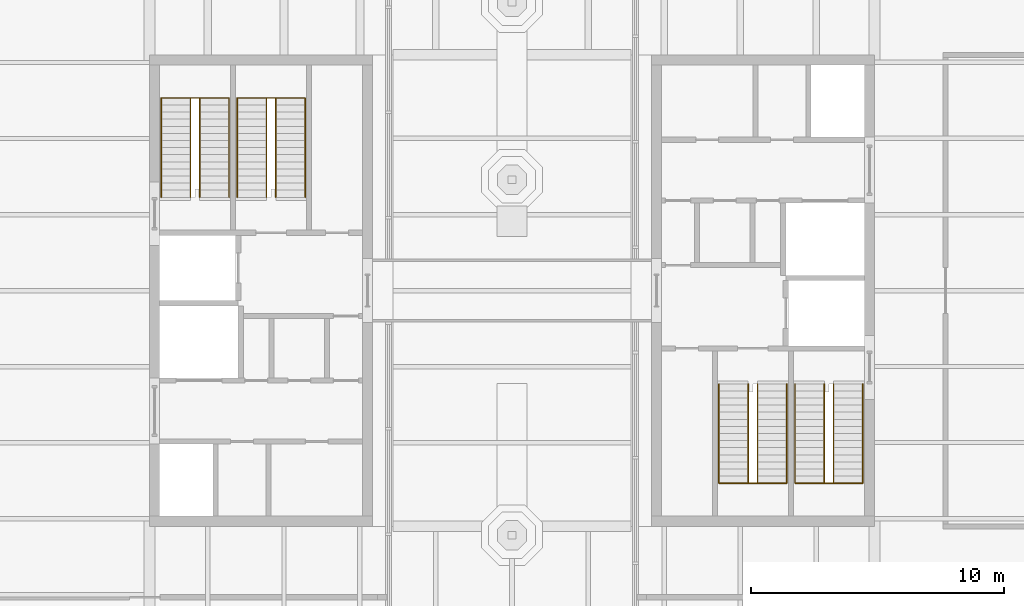
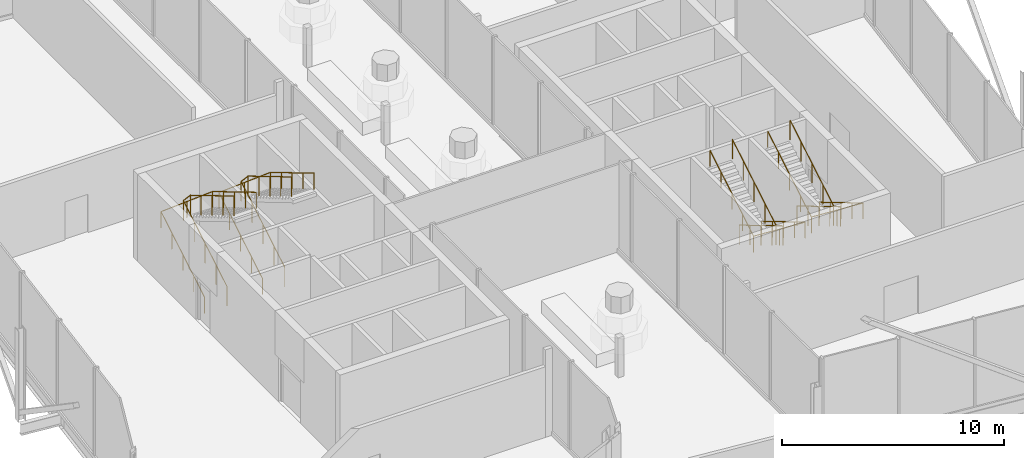
# One storey, part 13 of 14: 8 railings.
"""IFC4 building model written with IfcOpenShell, lengths in metres."""

from ifc_helpers import new_model, si_unit, direction, frame, origin, origin_2d, place, context, subcontext, project, spatial, circle, extrude, material, type_object, element, save


model = new_model("IFC4")

# Units and contexts
model_context = context("Model", 3, precision=1e-05, world=origin(), true_north=direction((0.0, 1.0)))
body_context = subcontext(model_context, "Body", "Model", "MODEL_VIEW")
ifc_project = project(units=[si_unit("LENGTHUNIT", "METRE"), si_unit("AREAUNIT", "SQUARE_METRE"), si_unit("VOLUMEUNIT", "CUBIC_METRE"), si_unit("PLANEANGLEUNIT", "RADIAN"), si_unit("MASSUNIT", "GRAM", prefix="KILO")], contexts=[model_context])

# Site, building, storey
site_placement = place(None, origin())
site = spatial("IfcSite", under=ifc_project, at=site_placement, CompositionType="ELEMENT")
building_placement = place(site_placement, origin())
building = spatial("IfcBuilding", under=site, at=building_placement, Name="Millrace Tower", CompositionType="ELEMENT")
storey_placement = place(building_placement, frame((0.0, 0.0, 342.10009765625)))
storey = spatial("IfcBuildingStorey", under=building, at=storey_placement, Name="L79", CompositionType="ELEMENT", Elevation=342.10009765625)

# Railings
ifc_material_1 = material(Name="Stainless steel ASTM A240 type 316", Category="steel")
railing_type_1 = type_object("IfcRailingType", Name="Stair guard 1100", PredefinedType="GUARDRAIL", material=ifc_material_1)
railing_1_placement = place(storey_placement, frame((-12.679931640625, 3.679931640625, 0.16650390625)))
element("IfcRailing", 1, at=railing_1_placement, inside=storey, type_object=railing_type_1, Name="Stair guard 1 W L79", PredefinedType="GUARDRAIL", context=body_context, shape_type="SweptSolid", body=[
    extrude(circle(Radius=0.02392578125, at=origin_2d()), frame((0.0, 0.0, 1.076171875), z_axis=(0.0, 0.859286724212, 0.511494208758), x_axis=(-1.0, 0.0, 0.0)), (0.0, 0.0, 1.0), 4.56201171875),
    extrude(circle(Radius=0.02392578125, at=origin_2d()), frame((0.0, 3.920166015625, 3.40966796875), z_axis=(0.907562518381, 0.0, 0.419916986117), x_axis=(0.0, 1.0, 0.0)), (0.0, 0.0, 1.0), 0.396484375),
    extrude(circle(Radius=0.02392578125, at=origin_2d()), frame((0.35986328125, 3.920166015625, 3.576171875), z_axis=(0.0, -0.859286724212, 0.511494208758), x_axis=(1.0, 0.0, 0.0)), (0.0, 0.0, 1.0), 4.56201171875),
    extrude(circle(Radius=0.02099609375, at=origin_2d()), origin(), (0.0, 0.0, 1.0), 1.052001953125),
    extrude(circle(Radius=0.02099609375, at=origin_2d()), frame((0.0, 0.97998046875, 0.58349609375)), (0.0, 0.0, 1.0), 1.052001953125),
    extrude(circle(Radius=0.02099609375, at=origin_2d()), frame((0.0, 1.9599609375, 1.166748046875)), (0.0, 0.0, 1.0), 1.052001953125),
    extrude(circle(Radius=0.02099609375, at=origin_2d()), frame((0.0, 2.940185546875, 1.75)), (0.0, 0.0, 1.0), 1.052001953125),
    extrude(circle(Radius=0.02099609375, at=origin_2d()), frame((0.0, 3.920166015625, 2.33349609375)), (0.0, 0.0, 1.0), 1.052001953125),
    extrude(circle(Radius=0.02099609375, at=origin_2d()), frame((0.35986328125, 3.920166015625, 2.5)), (0.0, 0.0, 1.0), 1.052001953125),
    extrude(circle(Radius=0.02099609375, at=origin_2d()), frame((0.35986328125, 2.940185546875, 3.08349609375)), (0.0, 0.0, 1.0), 1.052001953125),
    extrude(circle(Radius=0.02099609375, at=origin_2d()), frame((0.35986328125, 1.9599609375, 3.666748046875)), (0.0, 0.0, 1.0), 1.052001953125),
    extrude(circle(Radius=0.02099609375, at=origin_2d()), frame((0.35986328125, 0.97998046875, 4.25)), (0.0, 0.0, 1.0), 1.052001953125),
    extrude(circle(Radius=0.02099609375, at=origin_2d()), frame((0.35986328125, 0.0, 4.83349609375)), (0.0, 0.0, 1.0), 1.052001953125),
])
railing_2_placement = place(storey_placement, frame((-9.679931640625, 3.679931640625, 0.16650390625)))
element("IfcRailing", 2, at=railing_2_placement, inside=storey, type_object=railing_type_1, Name="Stair guard 2 W L79", PredefinedType="GUARDRAIL", context=body_context, shape_type="SweptSolid", body=[
    extrude(circle(Radius=0.02392578125, at=origin_2d()), frame((0.0, 0.0, 1.076171875), z_axis=(0.0, 0.859286724212, 0.511494208758), x_axis=(-1.0, 0.0, 0.0)), (0.0, 0.0, 1.0), 4.56201171875),
    extrude(circle(Radius=0.02392578125, at=origin_2d()), frame((0.0, 3.920166015625, 3.40966796875), z_axis=(0.907562518381, 0.0, 0.419916986117), x_axis=(0.0, 1.0, 0.0)), (0.0, 0.0, 1.0), 0.396484375),
    extrude(circle(Radius=0.02392578125, at=origin_2d()), frame((0.35986328125, 3.920166015625, 3.576171875), z_axis=(0.0, -0.859286724212, 0.511494208758), x_axis=(1.0, 0.0, 0.0)), (0.0, 0.0, 1.0), 4.56201171875),
    extrude(circle(Radius=0.02099609375, at=origin_2d()), origin(), (0.0, 0.0, 1.0), 1.052001953125),
    extrude(circle(Radius=0.02099609375, at=origin_2d()), frame((0.0, 0.97998046875, 0.58349609375)), (0.0, 0.0, 1.0), 1.052001953125),
    extrude(circle(Radius=0.02099609375, at=origin_2d()), frame((0.0, 1.9599609375, 1.166748046875)), (0.0, 0.0, 1.0), 1.052001953125),
    extrude(circle(Radius=0.02099609375, at=origin_2d()), frame((0.0, 2.940185546875, 1.75)), (0.0, 0.0, 1.0), 1.052001953125),
    extrude(circle(Radius=0.02099609375, at=origin_2d()), frame((0.0, 3.920166015625, 2.33349609375)), (0.0, 0.0, 1.0), 1.052001953125),
    extrude(circle(Radius=0.02099609375, at=origin_2d()), frame((0.35986328125, 3.920166015625, 2.5)), (0.0, 0.0, 1.0), 1.052001953125),
    extrude(circle(Radius=0.02099609375, at=origin_2d()), frame((0.35986328125, 2.940185546875, 3.08349609375)), (0.0, 0.0, 1.0), 1.052001953125),
    extrude(circle(Radius=0.02099609375, at=origin_2d()), frame((0.35986328125, 1.9599609375, 3.666748046875)), (0.0, 0.0, 1.0), 1.052001953125),
    extrude(circle(Radius=0.02099609375, at=origin_2d()), frame((0.35986328125, 0.97998046875, 4.25)), (0.0, 0.0, 1.0), 1.052001953125),
    extrude(circle(Radius=0.02099609375, at=origin_2d()), frame((0.35986328125, 0.0, 4.83349609375)), (0.0, 0.0, 1.0), 1.052001953125),
])
railing_3_placement = place(storey_placement, frame((12.679931640625, -3.679931640625, 0.16650390625)))
element("IfcRailing", 3, at=railing_3_placement, inside=storey, type_object=railing_type_1, Name="Stair guard 1 E L79", PredefinedType="GUARDRAIL", context=body_context, shape_type="SweptSolid", body=[
    extrude(circle(Radius=0.02392578125, at=origin_2d()), frame((0.0, 0.0, 1.076171875), z_axis=(0.0, -0.859286724212, 0.511494208758), x_axis=(1.0, 0.0, 0.0)), (0.0, 0.0, 1.0), 4.56201171875),
    extrude(circle(Radius=0.02392578125, at=origin_2d()), frame((0.0, -3.920166015625, 3.40966796875), z_axis=(-0.907562518381, 0.0, 0.419916986117), x_axis=(0.0, -1.0, 0.0)), (0.0, 0.0, 1.0), 0.396484375),
    extrude(circle(Radius=0.02392578125, at=origin_2d()), frame((-0.35986328125, -3.920166015625, 3.576171875), z_axis=(0.0, 0.859286724212, 0.511494208758), x_axis=(-1.0, 0.0, 0.0)), (0.0, 0.0, 1.0), 4.56201171875),
    extrude(circle(Radius=0.02099609375, at=origin_2d()), origin(), (0.0, 0.0, 1.0), 1.052001953125),
    extrude(circle(Radius=0.02099609375, at=origin_2d()), frame((0.0, -0.97998046875, 0.58349609375)), (0.0, 0.0, 1.0), 1.052001953125),
    extrude(circle(Radius=0.02099609375, at=origin_2d()), frame((0.0, -1.9599609375, 1.166748046875)), (0.0, 0.0, 1.0), 1.052001953125),
    extrude(circle(Radius=0.02099609375, at=origin_2d()), frame((0.0, -2.940185546875, 1.75)), (0.0, 0.0, 1.0), 1.052001953125),
    extrude(circle(Radius=0.02099609375, at=origin_2d()), frame((0.0, -3.920166015625, 2.33349609375)), (0.0, 0.0, 1.0), 1.052001953125),
    extrude(circle(Radius=0.02099609375, at=origin_2d()), frame((-0.35986328125, -3.920166015625, 2.5)), (0.0, 0.0, 1.0), 1.052001953125),
    extrude(circle(Radius=0.02099609375, at=origin_2d()), frame((-0.35986328125, -2.940185546875, 3.08349609375)), (0.0, 0.0, 1.0), 1.052001953125),
    extrude(circle(Radius=0.02099609375, at=origin_2d()), frame((-0.35986328125, -1.9599609375, 3.666748046875)), (0.0, 0.0, 1.0), 1.052001953125),
    extrude(circle(Radius=0.02099609375, at=origin_2d()), frame((-0.35986328125, -0.97998046875, 4.25)), (0.0, 0.0, 1.0), 1.052001953125),
    extrude(circle(Radius=0.02099609375, at=origin_2d()), frame((-0.35986328125, 0.0, 4.83349609375)), (0.0, 0.0, 1.0), 1.052001953125),
])
railing_4_placement = place(storey_placement, frame((9.679931640625, -3.679931640625, 0.16650390625)))
element("IfcRailing", 4, at=railing_4_placement, inside=storey, type_object=railing_type_1, Name="Stair guard 2 E L79", PredefinedType="GUARDRAIL", context=body_context, shape_type="SweptSolid", body=[
    extrude(circle(Radius=0.02392578125, at=origin_2d()), frame((0.0, 0.0, 1.076171875), z_axis=(0.0, -0.859286724212, 0.511494208758), x_axis=(1.0, 0.0, 0.0)), (0.0, 0.0, 1.0), 4.56201171875),
    extrude(circle(Radius=0.02392578125, at=origin_2d()), frame((0.0, -3.920166015625, 3.40966796875), z_axis=(-0.907562518381, 0.0, 0.419916986117), x_axis=(0.0, -1.0, 0.0)), (0.0, 0.0, 1.0), 0.396484375),
    extrude(circle(Radius=0.02392578125, at=origin_2d()), frame((-0.35986328125, -3.920166015625, 3.576171875), z_axis=(0.0, 0.859286724212, 0.511494208758), x_axis=(-1.0, 0.0, 0.0)), (0.0, 0.0, 1.0), 4.56201171875),
    extrude(circle(Radius=0.02099609375, at=origin_2d()), origin(), (0.0, 0.0, 1.0), 1.052001953125),
    extrude(circle(Radius=0.02099609375, at=origin_2d()), frame((0.0, -0.97998046875, 0.58349609375)), (0.0, 0.0, 1.0), 1.052001953125),
    extrude(circle(Radius=0.02099609375, at=origin_2d()), frame((0.0, -1.9599609375, 1.166748046875)), (0.0, 0.0, 1.0), 1.052001953125),
    extrude(circle(Radius=0.02099609375, at=origin_2d()), frame((0.0, -2.940185546875, 1.75)), (0.0, 0.0, 1.0), 1.052001953125),
    extrude(circle(Radius=0.02099609375, at=origin_2d()), frame((0.0, -3.920166015625, 2.33349609375)), (0.0, 0.0, 1.0), 1.052001953125),
    extrude(circle(Radius=0.02099609375, at=origin_2d()), frame((-0.35986328125, -3.920166015625, 2.5)), (0.0, 0.0, 1.0), 1.052001953125),
    extrude(circle(Radius=0.02099609375, at=origin_2d()), frame((-0.35986328125, -2.940185546875, 3.08349609375)), (0.0, 0.0, 1.0), 1.052001953125),
    extrude(circle(Radius=0.02099609375, at=origin_2d()), frame((-0.35986328125, -1.9599609375, 3.666748046875)), (0.0, 0.0, 1.0), 1.052001953125),
    extrude(circle(Radius=0.02099609375, at=origin_2d()), frame((-0.35986328125, -0.97998046875, 4.25)), (0.0, 0.0, 1.0), 1.052001953125),
    extrude(circle(Radius=0.02099609375, at=origin_2d()), frame((-0.35986328125, 0.0, 4.83349609375)), (0.0, 0.0, 1.0), 1.052001953125),
])
ifc_material_2 = material(Name="Stainless steel ASTM A240 type 316", Category="steel")
railing_type_2 = type_object("IfcRailingType", Name="Stair handrail 900", PredefinedType="HANDRAIL", material=ifc_material_2)
railing_5_placement = place(storey_placement, frame((-13.840087890625, 3.679931640625, 0.16650390625)))
element("IfcRailing", 5, at=railing_5_placement, inside=storey, type_object=railing_type_2, Name="Stair handrail 1 W L79", PredefinedType="HANDRAIL", context=body_context, shape_type="SweptSolid", body=[
    extrude(circle(Radius=0.02392578125, at=origin_2d()), frame((0.0, 0.0, 0.8759765625), z_axis=(0.0, 0.859286724212, 0.511494208758), x_axis=(-1.0, 0.0, 0.0)), (0.0, 0.0, 1.0), 4.56201171875),
    extrude(circle(Radius=0.02392578125, at=origin_2d()), frame((0.0, 3.920166015625, 3.20947265625), z_axis=(0.998075856648, 0.0, 0.062004712537), x_axis=(0.0, 1.0, 0.0)), (0.0, 0.0, 1.0), 2.685302734375),
    extrude(circle(Radius=0.02392578125, at=origin_2d()), frame((2.68017578125, 3.920166015625, 3.3759765625), z_axis=(0.0, -0.859286724212, 0.511494208758), x_axis=(1.0, 0.0, 0.0)), (0.0, 0.0, 1.0), 4.56201171875),
    extrude(circle(Radius=0.02099609375, at=origin_2d()), origin(), (0.0, 0.0, 1.0), 0.851806640625),
    extrude(circle(Radius=0.02099609375, at=origin_2d()), frame((0.0, 0.97998046875, 0.58349609375)), (0.0, 0.0, 1.0), 0.851806640625),
    extrude(circle(Radius=0.02099609375, at=origin_2d()), frame((0.0, 1.9599609375, 1.166748046875)), (0.0, 0.0, 1.0), 0.851806640625),
    extrude(circle(Radius=0.02099609375, at=origin_2d()), frame((0.0, 2.940185546875, 1.75)), (0.0, 0.0, 1.0), 0.851806640625),
    extrude(circle(Radius=0.02099609375, at=origin_2d()), frame((0.0, 3.920166015625, 2.33349609375)), (0.0, 0.0, 1.0), 0.851806640625),
    extrude(circle(Radius=0.02099609375, at=origin_2d()), frame((1.340087890625, 3.920166015625, 2.416748046875)), (0.0, 0.0, 1.0), 0.851806640625),
    extrude(circle(Radius=0.02099609375, at=origin_2d()), frame((2.68017578125, 3.920166015625, 2.5)), (0.0, 0.0, 1.0), 0.851806640625),
    extrude(circle(Radius=0.02099609375, at=origin_2d()), frame((2.68017578125, 2.940185546875, 3.08349609375)), (0.0, 0.0, 1.0), 0.851806640625),
    extrude(circle(Radius=0.02099609375, at=origin_2d()), frame((2.68017578125, 1.9599609375, 3.666748046875)), (0.0, 0.0, 1.0), 0.851806640625),
    extrude(circle(Radius=0.02099609375, at=origin_2d()), frame((2.68017578125, 0.97998046875, 4.25)), (0.0, 0.0, 1.0), 0.851806640625),
    extrude(circle(Radius=0.02099609375, at=origin_2d()), frame((2.68017578125, 0.0, 4.83349609375)), (0.0, 0.0, 1.0), 0.851806640625),
])
railing_6_placement = place(storey_placement, frame((-10.840087890625, 3.679931640625, 0.16650390625)))
element("IfcRailing", 6, at=railing_6_placement, inside=storey, type_object=railing_type_2, Name="Stair handrail 2 W L79", PredefinedType="HANDRAIL", context=body_context, shape_type="SweptSolid", body=[
    extrude(circle(Radius=0.02392578125, at=origin_2d()), frame((0.0, 0.0, 0.8759765625), z_axis=(0.0, 0.859286724212, 0.511494208758), x_axis=(-1.0, 0.0, 0.0)), (0.0, 0.0, 1.0), 4.56201171875),
    extrude(circle(Radius=0.02392578125, at=origin_2d()), frame((0.0, 3.920166015625, 3.20947265625), z_axis=(0.998075856648, 0.0, 0.062004712537), x_axis=(0.0, 1.0, 0.0)), (0.0, 0.0, 1.0), 2.685302734375),
    extrude(circle(Radius=0.02392578125, at=origin_2d()), frame((2.68017578125, 3.920166015625, 3.3759765625), z_axis=(0.0, -0.859286724212, 0.511494208758), x_axis=(1.0, 0.0, 0.0)), (0.0, 0.0, 1.0), 4.56201171875),
    extrude(circle(Radius=0.02099609375, at=origin_2d()), origin(), (0.0, 0.0, 1.0), 0.851806640625),
    extrude(circle(Radius=0.02099609375, at=origin_2d()), frame((0.0, 0.97998046875, 0.58349609375)), (0.0, 0.0, 1.0), 0.851806640625),
    extrude(circle(Radius=0.02099609375, at=origin_2d()), frame((0.0, 1.9599609375, 1.166748046875)), (0.0, 0.0, 1.0), 0.851806640625),
    extrude(circle(Radius=0.02099609375, at=origin_2d()), frame((0.0, 2.940185546875, 1.75)), (0.0, 0.0, 1.0), 0.851806640625),
    extrude(circle(Radius=0.02099609375, at=origin_2d()), frame((0.0, 3.920166015625, 2.33349609375)), (0.0, 0.0, 1.0), 0.851806640625),
    extrude(circle(Radius=0.02099609375, at=origin_2d()), frame((1.340087890625, 3.920166015625, 2.416748046875)), (0.0, 0.0, 1.0), 0.851806640625),
    extrude(circle(Radius=0.02099609375, at=origin_2d()), frame((2.68017578125, 3.920166015625, 2.5)), (0.0, 0.0, 1.0), 0.851806640625),
    extrude(circle(Radius=0.02099609375, at=origin_2d()), frame((2.68017578125, 2.940185546875, 3.08349609375)), (0.0, 0.0, 1.0), 0.851806640625),
    extrude(circle(Radius=0.02099609375, at=origin_2d()), frame((2.68017578125, 1.9599609375, 3.666748046875)), (0.0, 0.0, 1.0), 0.851806640625),
    extrude(circle(Radius=0.02099609375, at=origin_2d()), frame((2.68017578125, 0.97998046875, 4.25)), (0.0, 0.0, 1.0), 0.851806640625),
    extrude(circle(Radius=0.02099609375, at=origin_2d()), frame((2.68017578125, 0.0, 4.83349609375)), (0.0, 0.0, 1.0), 0.851806640625),
])
railing_7_placement = place(storey_placement, frame((13.840087890625, -3.679931640625, 0.16650390625)))
element("IfcRailing", 7, at=railing_7_placement, inside=storey, type_object=railing_type_2, Name="Stair handrail 1 E L79", PredefinedType="HANDRAIL", context=body_context, shape_type="SweptSolid", body=[
    extrude(circle(Radius=0.02392578125, at=origin_2d()), frame((0.0, 0.0, 0.8759765625), z_axis=(0.0, -0.859286724212, 0.511494208758), x_axis=(1.0, 0.0, 0.0)), (0.0, 0.0, 1.0), 4.56201171875),
    extrude(circle(Radius=0.02392578125, at=origin_2d()), frame((0.0, -3.920166015625, 3.20947265625), z_axis=(-0.998075856648, 0.0, 0.062004712537), x_axis=(0.0, -1.0, 0.0)), (0.0, 0.0, 1.0), 2.685302734375),
    extrude(circle(Radius=0.02392578125, at=origin_2d()), frame((-2.68017578125, -3.920166015625, 3.3759765625), z_axis=(0.0, 0.859286724212, 0.511494208758), x_axis=(-1.0, 0.0, 0.0)), (0.0, 0.0, 1.0), 4.56201171875),
    extrude(circle(Radius=0.02099609375, at=origin_2d()), origin(), (0.0, 0.0, 1.0), 0.851806640625),
    extrude(circle(Radius=0.02099609375, at=origin_2d()), frame((0.0, -0.97998046875, 0.58349609375)), (0.0, 0.0, 1.0), 0.851806640625),
    extrude(circle(Radius=0.02099609375, at=origin_2d()), frame((0.0, -1.9599609375, 1.166748046875)), (0.0, 0.0, 1.0), 0.851806640625),
    extrude(circle(Radius=0.02099609375, at=origin_2d()), frame((0.0, -2.940185546875, 1.75)), (0.0, 0.0, 1.0), 0.851806640625),
    extrude(circle(Radius=0.02099609375, at=origin_2d()), frame((0.0, -3.920166015625, 2.33349609375)), (0.0, 0.0, 1.0), 0.851806640625),
    extrude(circle(Radius=0.02099609375, at=origin_2d()), frame((-1.340087890625, -3.920166015625, 2.416748046875)), (0.0, 0.0, 1.0), 0.851806640625),
    extrude(circle(Radius=0.02099609375, at=origin_2d()), frame((-2.68017578125, -3.920166015625, 2.5)), (0.0, 0.0, 1.0), 0.851806640625),
    extrude(circle(Radius=0.02099609375, at=origin_2d()), frame((-2.68017578125, -2.940185546875, 3.08349609375)), (0.0, 0.0, 1.0), 0.851806640625),
    extrude(circle(Radius=0.02099609375, at=origin_2d()), frame((-2.68017578125, -1.9599609375, 3.666748046875)), (0.0, 0.0, 1.0), 0.851806640625),
    extrude(circle(Radius=0.02099609375, at=origin_2d()), frame((-2.68017578125, -0.97998046875, 4.25)), (0.0, 0.0, 1.0), 0.851806640625),
    extrude(circle(Radius=0.02099609375, at=origin_2d()), frame((-2.68017578125, 0.0, 4.83349609375)), (0.0, 0.0, 1.0), 0.851806640625),
])
railing_8_placement = place(storey_placement, frame((10.840087890625, -3.679931640625, 0.16650390625)))
element("IfcRailing", 8, at=railing_8_placement, inside=storey, type_object=railing_type_2, Name="Stair handrail 2 E L79", PredefinedType="HANDRAIL", context=body_context, shape_type="SweptSolid", body=[
    extrude(circle(Radius=0.02392578125, at=origin_2d()), frame((0.0, 0.0, 0.8759765625), z_axis=(0.0, -0.859286724212, 0.511494208758), x_axis=(1.0, 0.0, 0.0)), (0.0, 0.0, 1.0), 4.56201171875),
    extrude(circle(Radius=0.02392578125, at=origin_2d()), frame((0.0, -3.920166015625, 3.20947265625), z_axis=(-0.998075856648, 0.0, 0.062004712537), x_axis=(0.0, -1.0, 0.0)), (0.0, 0.0, 1.0), 2.685302734375),
    extrude(circle(Radius=0.02392578125, at=origin_2d()), frame((-2.68017578125, -3.920166015625, 3.3759765625), z_axis=(0.0, 0.859286724212, 0.511494208758), x_axis=(-1.0, 0.0, 0.0)), (0.0, 0.0, 1.0), 4.56201171875),
    extrude(circle(Radius=0.02099609375, at=origin_2d()), origin(), (0.0, 0.0, 1.0), 0.851806640625),
    extrude(circle(Radius=0.02099609375, at=origin_2d()), frame((0.0, -0.97998046875, 0.58349609375)), (0.0, 0.0, 1.0), 0.851806640625),
    extrude(circle(Radius=0.02099609375, at=origin_2d()), frame((0.0, -1.9599609375, 1.166748046875)), (0.0, 0.0, 1.0), 0.851806640625),
    extrude(circle(Radius=0.02099609375, at=origin_2d()), frame((0.0, -2.940185546875, 1.75)), (0.0, 0.0, 1.0), 0.851806640625),
    extrude(circle(Radius=0.02099609375, at=origin_2d()), frame((0.0, -3.920166015625, 2.33349609375)), (0.0, 0.0, 1.0), 0.851806640625),
    extrude(circle(Radius=0.02099609375, at=origin_2d()), frame((-1.340087890625, -3.920166015625, 2.416748046875)), (0.0, 0.0, 1.0), 0.851806640625),
    extrude(circle(Radius=0.02099609375, at=origin_2d()), frame((-2.68017578125, -3.920166015625, 2.5)), (0.0, 0.0, 1.0), 0.851806640625),
    extrude(circle(Radius=0.02099609375, at=origin_2d()), frame((-2.68017578125, -2.940185546875, 3.08349609375)), (0.0, 0.0, 1.0), 0.851806640625),
    extrude(circle(Radius=0.02099609375, at=origin_2d()), frame((-2.68017578125, -1.9599609375, 3.666748046875)), (0.0, 0.0, 1.0), 0.851806640625),
    extrude(circle(Radius=0.02099609375, at=origin_2d()), frame((-2.68017578125, -0.97998046875, 4.25)), (0.0, 0.0, 1.0), 0.851806640625),
    extrude(circle(Radius=0.02099609375, at=origin_2d()), frame((-2.68017578125, 0.0, 4.83349609375)), (0.0, 0.0, 1.0), 0.851806640625),
])

save(model, "model.ifc")
